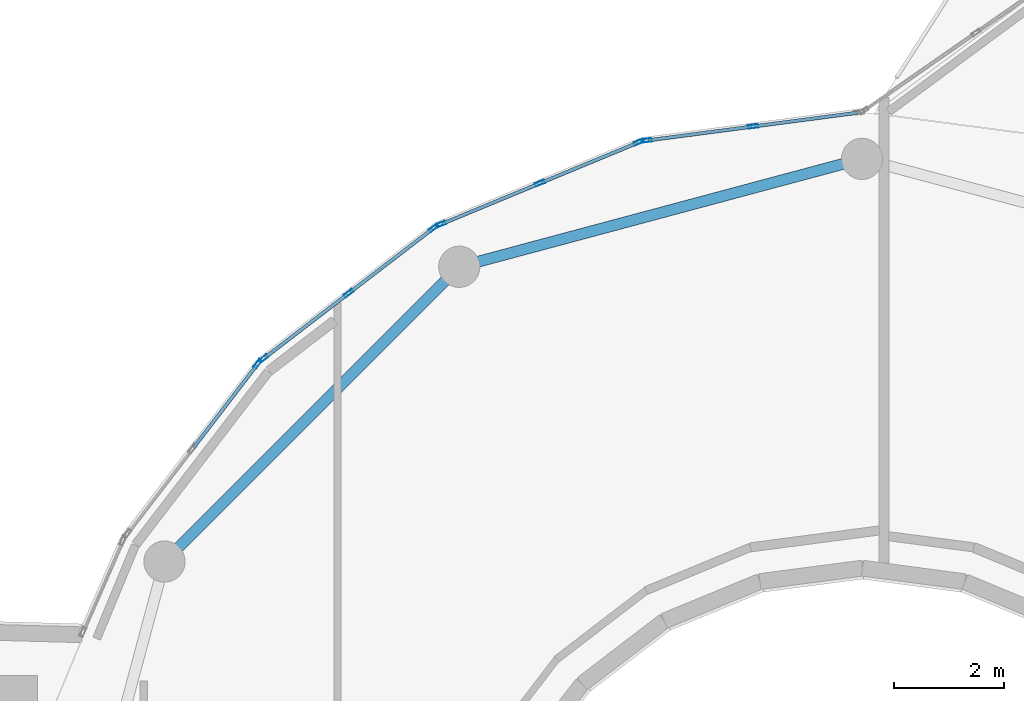
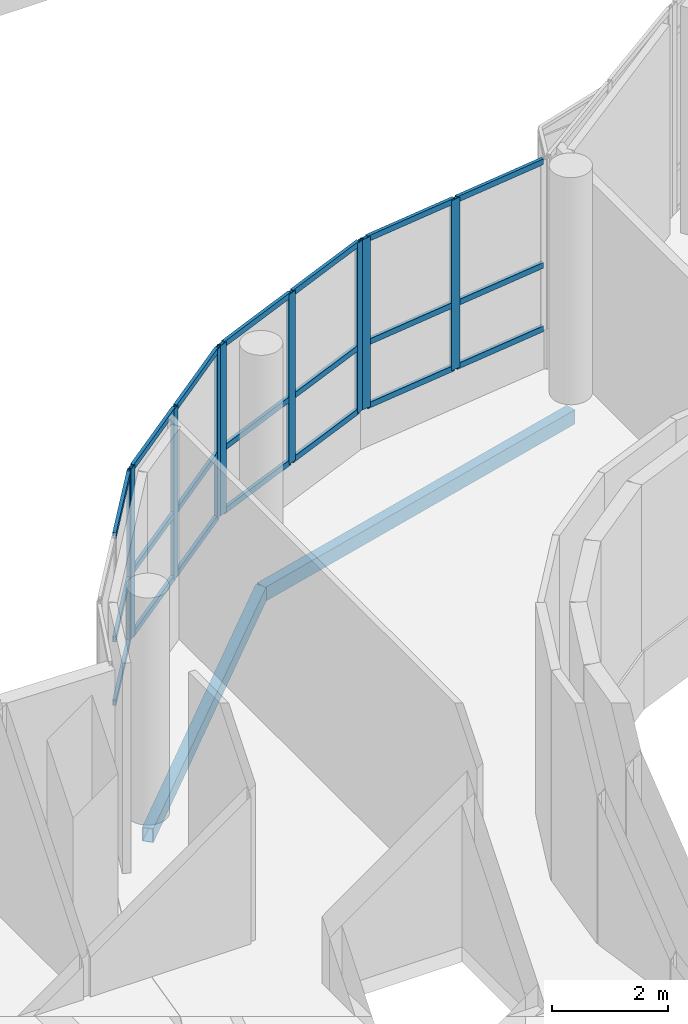
# One storey, part 60 of 168: 30 members, 2 beams, 4 elements without a shape of their own.
"""IFC4 building model written with IfcOpenShell, lengths in metres."""

from ifc_helpers import new_model, si_unit, direction, frame, origin, origin_2d, place, context, subcontext, project, spatial, hollow_rectangle, extrude, material, material_profile, profile_set, type_object, element, aggregate, save


model = new_model("IFC4")

# Units and contexts
model_context = context("Model", 3, precision=1e-05, world=origin(), true_north=direction((0.0, 1.0)))
body_context = subcontext(model_context, "Body", "Model", "MODEL_VIEW")
ifc_project = project(units=[si_unit("LENGTHUNIT", "METRE"), si_unit("AREAUNIT", "SQUARE_METRE"), si_unit("VOLUMEUNIT", "CUBIC_METRE"), si_unit("PLANEANGLEUNIT", "RADIAN"), si_unit("MASSUNIT", "GRAM", prefix="KILO")], contexts=[model_context])

# Site, building, storey
site_placement = place(None, origin())
site = spatial("IfcSite", under=ifc_project, at=site_placement, CompositionType="ELEMENT")
building_placement = place(site_placement, origin())
building = spatial("IfcBuilding", under=site, at=building_placement, Name="Selatvlak General Hospital", CompositionType="ELEMENT")
storey_placement = place(building_placement, frame((0.0, 0.0, 5.39990234375)))
storey = spatial("IfcBuildingStorey", under=building, at=storey_placement, Name="L01", CompositionType="ELEMENT", Elevation=5.39990234375)

# Beams
ifc_material_1 = material(Name="Steel S355", Category="steel")
ifc_material_profile_1 = material_profile(ifc_material_1, hollow_rectangle(XDim=0.199951171875, YDim=0.300048828125, WallThickness=0.011962890625, at=origin_2d()), Name="RHS 300x200x12")
ifc_profile_set_1 = profile_set([ifc_material_profile_1], Name="Steel S355")
beam_type = type_object("IfcBeamType", Name="BM-SP3", PredefinedType="SPANDREL", material=ifc_profile_set_1)
beam_1_placement = place(storey_placement, frame((98.0, 68.64990234375, -0.469970703125), z_axis=(-0.965920028052, -0.25884068345, 0.0), x_axis=(0.25884068345, -0.965920028052, 0.0)))
element("IfcBeam", 1, at=beam_1_placement, inside=storey, type_object=beam_type, Name="Beam BMR-L01-0714", PredefinedType="SPANDREL", context=body_context, shape_type="SweptSolid", body=[
    extrude(hollow_rectangle(XDim=0.199951171875, YDim=0.300048828125, WallThickness=0.011962890625, at=origin_2d()), origin(), (0.0, 0.0, 1.0), 7.58349609375),
])
beam_2_placement = place(storey_placement, frame((90.675048828125, 66.68701171875, -0.469970703125), z_axis=(-0.707106781187, -0.707106781187, 0.0), x_axis=(0.707106781187, -0.707106781187, 0.0)))
element("IfcBeam", 2, at=beam_2_placement, inside=storey, type_object=beam_type, Name="Beam BMR-L01-0715", PredefinedType="SPANDREL", context=body_context, shape_type="SweptSolid", body=[
    extrude(hollow_rectangle(XDim=0.199951171875, YDim=0.300048828125, WallThickness=0.011962890625, at=origin_2d()), origin(), (0.0, 0.0, 1.0), 7.5830078125),
])

# Curtain wall, member
ifc_material_2 = material(Name="Solar-control Low-E double glazing", Category="glass")
curtain_wall_type_1 = type_object("IfcCurtainWallType", Name="CW-CW-05", PredefinedType="USERDEFINED", material=ifc_material_2)
curtain_wall_1_placement = place(storey_placement, origin())
curtain_wall_1 = element("IfcCurtainWall", 3, at=curtain_wall_1_placement, inside=storey, type_object=curtain_wall_type_1, Name="Glazed facade curtain wall CW-L01-0216", ObjectType="STICK GLAZING WALL", PredefinedType="USERDEFINED")
ifc_material_3 = material(Name="Dark anodised aluminium mullion", Category="aluminium")
ifc_material_profile_2 = material_profile(ifc_material_3, hollow_rectangle(XDim=0.06494140625, YDim=0.179931640625, WallThickness=0.00439453125, at=origin_2d()), Name="AL-MUL 65x180x4.5")
ifc_profile_set_2 = profile_set([ifc_material_profile_2], Name="Dark anodised aluminium mullion")
member_type_1 = type_object("IfcMemberType", Name="CWM-02", PredefinedType="MULLION", material=ifc_profile_set_2)
member_1_placement = place(storey_placement, frame((87.01025390625, 64.921142578125, 0.85009765625), z_axis=(0.0, 0.0, 1.0), x_axis=(-0.793232853917, 0.608918417743, 0.0)))
member_1 = element("IfcMember", 4, at=member_1_placement, type_object=member_type_1, Name="CW-05 mullion 3", PredefinedType="MULLION", context=body_context, shape_type="SweptSolid", body=[
    extrude(hollow_rectangle(XDim=0.06494140625, YDim=0.179931640625, WallThickness=0.00439453125, at=origin_2d()), origin(), (0.0, 0.0, 1.0), 3.594970703125),
])

# Curtain wall, members
curtain_wall_type_2 = type_object("IfcCurtainWallType", Name="CW-CW-04", PredefinedType="USERDEFINED", material=ifc_material_2)
curtain_wall_2_placement = place(storey_placement, origin())
curtain_wall_2 = element("IfcCurtainWall", 5, at=curtain_wall_2_placement, inside=storey, type_object=curtain_wall_type_2, Name="Glazed facade curtain wall CW-L01-0217", ObjectType="STICK GLAZING WALL", PredefinedType="USERDEFINED")
member_2_placement = place(storey_placement, frame((87.11669921875, 65.017822265625, 0.85009765625), z_axis=(0.0, 0.0, 1.0), x_axis=(-0.608918417743, 0.793232853917, 0.0)))
member_2 = element("IfcMember", 6, at=member_2_placement, type_object=member_type_1, Name="CW-04 mullion 1", PredefinedType="MULLION", context=body_context, shape_type="SweptSolid", body=[
    extrude(hollow_rectangle(XDim=0.06494140625, YDim=0.179931640625, WallThickness=0.00439453125, at=origin_2d()), origin(), (0.0, 0.0, 1.0), 3.594970703125),
])
member_3_placement = place(storey_placement, frame((88.6640625, 66.20556640625, 0.85009765625), z_axis=(0.0, 0.0, 1.0), x_axis=(-0.608918417743, 0.793232853917, 0.0)))
member_3 = element("IfcMember", 7, at=member_3_placement, type_object=member_type_1, Name="CW-04 mullion 2", PredefinedType="MULLION", context=body_context, shape_type="SweptSolid", body=[
    extrude(hollow_rectangle(XDim=0.06494140625, YDim=0.179931640625, WallThickness=0.00439453125, at=origin_2d()), origin(), (0.0, 0.0, 1.0), 3.594970703125),
])
member_4_placement = place(storey_placement, frame((90.211181640625, 67.393310546875, 0.85009765625), z_axis=(0.0, 0.0, 1.0), x_axis=(-0.608918417743, 0.793232853917, 0.0)))
member_4 = element("IfcMember", 8, at=member_4_placement, type_object=member_type_1, Name="CW-04 mullion 3", PredefinedType="MULLION", context=body_context, shape_type="SweptSolid", body=[
    extrude(hollow_rectangle(XDim=0.06494140625, YDim=0.179931640625, WallThickness=0.00439453125, at=origin_2d()), origin(), (0.0, 0.0, 1.0), 3.594970703125),
])

curtain_wall_3_placement = place(storey_placement, origin())
curtain_wall_3 = element("IfcCurtainWall", 9, at=curtain_wall_3_placement, inside=storey, type_object=curtain_wall_type_1, Name="Glazed facade curtain wall CW-L01-0218", ObjectType="STICK GLAZING WALL", PredefinedType="USERDEFINED")
member_5_placement = place(storey_placement, frame((90.339111328125, 67.45947265625, 0.85009765625), z_axis=(0.0, 0.0, 1.0), x_axis=(-0.382752625243, 0.923850868847, 0.0)))
member_5 = element("IfcMember", 10, at=member_5_placement, type_object=member_type_1, Name="CW-05 mullion 1", PredefinedType="MULLION", context=body_context, shape_type="SweptSolid", body=[
    extrude(hollow_rectangle(XDim=0.06494140625, YDim=0.179931640625, WallThickness=0.00439453125, at=origin_2d()), origin(), (0.0, 0.0, 1.0), 3.594970703125),
])
member_6_placement = place(storey_placement, frame((92.14111328125, 68.2060546875, 0.85009765625), z_axis=(0.0, 0.0, 1.0), x_axis=(-0.382752625243, 0.923850868847, 0.0)))
member_6 = element("IfcMember", 11, at=member_6_placement, type_object=member_type_1, Name="CW-05 mullion 2", PredefinedType="MULLION", context=body_context, shape_type="SweptSolid", body=[
    extrude(hollow_rectangle(XDim=0.06494140625, YDim=0.179931640625, WallThickness=0.00439453125, at=origin_2d()), origin(), (0.0, 0.0, 1.0), 3.594970703125),
])
member_7_placement = place(storey_placement, frame((93.94287109375, 68.95263671875, 0.85009765625), z_axis=(0.0, 0.0, 1.0), x_axis=(-0.382752625243, 0.923850868847, 0.0)))
member_7 = element("IfcMember", 12, at=member_7_placement, type_object=member_type_1, Name="CW-05 mullion 3", PredefinedType="MULLION", context=body_context, shape_type="SweptSolid", body=[
    extrude(hollow_rectangle(XDim=0.06494140625, YDim=0.179931640625, WallThickness=0.00439453125, at=origin_2d()), origin(), (0.0, 0.0, 1.0), 3.594970703125),
])

curtain_wall_4_placement = place(storey_placement, origin())
curtain_wall_4 = element("IfcCurtainWall", 13, at=curtain_wall_4_placement, inside=storey, type_object=curtain_wall_type_2, Name="Glazed facade curtain wall CW-L01-0219", ObjectType="STICK GLAZING WALL", PredefinedType="USERDEFINED")
member_8_placement = place(storey_placement, frame((94.084228515625, 68.984130859375, 0.85009765625), z_axis=(0.0, 0.0, 1.0), x_axis=(-0.130611050186, 0.991433685916, 0.0)))
member_8 = element("IfcMember", 14, at=member_8_placement, type_object=member_type_1, Name="CW-04 mullion 1", PredefinedType="MULLION", context=body_context, shape_type="SweptSolid", body=[
    extrude(hollow_rectangle(XDim=0.06494140625, YDim=0.179931640625, WallThickness=0.00439453125, at=origin_2d()), origin(), (0.0, 0.0, 1.0), 3.594970703125),
])
member_9_placement = place(storey_placement, frame((96.01806640625, 69.239013671875, 0.85009765625), z_axis=(0.0, 0.0, 1.0), x_axis=(-0.130611050186, 0.991433685916, 0.0)))
member_9 = element("IfcMember", 15, at=member_9_placement, type_object=member_type_1, Name="CW-04 mullion 2", PredefinedType="MULLION", context=body_context, shape_type="SweptSolid", body=[
    extrude(hollow_rectangle(XDim=0.06494140625, YDim=0.179931640625, WallThickness=0.00439453125, at=origin_2d()), origin(), (0.0, 0.0, 1.0), 3.594970703125),
])

# Member
ifc_material_profile_3 = material_profile(ifc_material_3, hollow_rectangle(XDim=0.06494140625, YDim=0.1201171875, WallThickness=0.00390625, at=origin_2d()), Name="AL-TRN 65x120x4")
ifc_profile_set_3 = profile_set([ifc_material_profile_3], Name="Dark anodised aluminium mullion")
member_type_2 = type_object("IfcMemberType", Name="CWT-01", PredefinedType="USERDEFINED", material=ifc_profile_set_3)
member_10_placement = place(storey_placement, frame((85.84228515625, 63.399658203125, 0.882568359375), z_axis=(0.608890787968, 0.793254062913, 0.0), x_axis=(-0.793254062913, 0.608890787968, 0.0)))
member_10 = element("IfcMember", 16, at=member_10_placement, type_object=member_type_2, Name="CW-05 transom 2.1", ObjectType="TRANSOM", PredefinedType="USERDEFINED", context=body_context, shape_type="SweptSolid", body=[
    extrude(hollow_rectangle(XDim=0.06494140625, YDim=0.1201171875, WallThickness=0.00390625, at=origin_2d()), origin(), (0.0, 0.0, 1.0), 1.8857421875),
])

member_11_placement = place(storey_placement, frame((85.84228515625, 63.399658203125, 2.22314453125), z_axis=(0.608890787968, 0.793254062913, 0.0), x_axis=(-0.793254062913, 0.608890787968, 0.0)))
member_11 = element("IfcMember", 17, at=member_11_placement, type_object=member_type_2, Name="CW-05 transom 2.2", ObjectType="TRANSOM", PredefinedType="USERDEFINED", context=body_context, shape_type="SweptSolid", body=[
    extrude(hollow_rectangle(XDim=0.06494140625, YDim=0.1201171875, WallThickness=0.00390625, at=origin_2d()), origin(), (0.0, 0.0, 1.0), 1.8857421875),
])

member_12_placement = place(storey_placement, frame((85.84228515625, 63.399658203125, 4.41259765625), z_axis=(0.608890787968, 0.793254062913, 0.0), x_axis=(-0.793254062913, 0.608890787968, 0.0)))
member_12 = element("IfcMember", 18, at=member_12_placement, type_object=member_type_2, Name="CW-05 transom 2.3", ObjectType="TRANSOM", PredefinedType="USERDEFINED", context=body_context, shape_type="SweptSolid", body=[
    extrude(hollow_rectangle(XDim=0.06494140625, YDim=0.1201171875, WallThickness=0.00390625, at=origin_2d()), origin(), (0.0, 0.0, 1.0), 1.8857421875),
])

aggregate(curtain_wall_1, [member_1, member_10, member_11, member_12])

member_13_placement = place(storey_placement, frame((87.142578125, 65.03759765625, 0.882568359375), z_axis=(0.793206055297, 0.608953326487, 0.0), x_axis=(-0.608953326487, 0.793206055297, 0.0)))
member_13 = element("IfcMember", 19, at=member_13_placement, type_object=member_type_2, Name="CW-04 transom 1.1", ObjectType="TRANSOM", PredefinedType="USERDEFINED", context=body_context, shape_type="SweptSolid", body=[
    extrude(hollow_rectangle(XDim=0.06494140625, YDim=0.1201171875, WallThickness=0.00390625, at=origin_2d()), origin(), (0.0, 0.0, 1.0), 1.885498046875),
])

member_14_placement = place(storey_placement, frame((87.142578125, 65.03759765625, 2.22314453125), z_axis=(0.793206055297, 0.608953326487, 0.0), x_axis=(-0.608953326487, 0.793206055297, 0.0)))
member_14 = element("IfcMember", 20, at=member_14_placement, type_object=member_type_2, Name="CW-04 transom 1.2", ObjectType="TRANSOM", PredefinedType="USERDEFINED", context=body_context, shape_type="SweptSolid", body=[
    extrude(hollow_rectangle(XDim=0.06494140625, YDim=0.1201171875, WallThickness=0.00390625, at=origin_2d()), origin(), (0.0, 0.0, 1.0), 1.885498046875),
])

member_15_placement = place(storey_placement, frame((87.142578125, 65.03759765625, 4.41259765625), z_axis=(0.793206055297, 0.608953326487, 0.0), x_axis=(-0.608953326487, 0.793206055297, 0.0)))
member_15 = element("IfcMember", 21, at=member_15_placement, type_object=member_type_2, Name="CW-04 transom 1.3", ObjectType="TRANSOM", PredefinedType="USERDEFINED", context=body_context, shape_type="SweptSolid", body=[
    extrude(hollow_rectangle(XDim=0.06494140625, YDim=0.1201171875, WallThickness=0.00390625, at=origin_2d()), origin(), (0.0, 0.0, 1.0), 1.885498046875),
])

member_16_placement = place(storey_placement, frame((88.689697265625, 66.225341796875, 0.882568359375), z_axis=(0.793254062913, 0.608890787968, 0.0), x_axis=(-0.608890787968, 0.793254062913, 0.0)))
member_16 = element("IfcMember", 22, at=member_16_placement, type_object=member_type_2, Name="CW-04 transom 2.1", ObjectType="TRANSOM", PredefinedType="USERDEFINED", context=body_context, shape_type="SweptSolid", body=[
    extrude(hollow_rectangle(XDim=0.06494140625, YDim=0.1201171875, WallThickness=0.00390625, at=origin_2d()), origin(), (0.0, 0.0, 1.0), 1.8857421875),
])

member_17_placement = place(storey_placement, frame((88.689697265625, 66.225341796875, 2.22314453125), z_axis=(0.793254062913, 0.608890787968, 0.0), x_axis=(-0.608890787968, 0.793254062913, 0.0)))
member_17 = element("IfcMember", 23, at=member_17_placement, type_object=member_type_2, Name="CW-04 transom 2.2", ObjectType="TRANSOM", PredefinedType="USERDEFINED", context=body_context, shape_type="SweptSolid", body=[
    extrude(hollow_rectangle(XDim=0.06494140625, YDim=0.1201171875, WallThickness=0.00390625, at=origin_2d()), origin(), (0.0, 0.0, 1.0), 1.8857421875),
])

member_18_placement = place(storey_placement, frame((88.689697265625, 66.225341796875, 4.41259765625), z_axis=(0.793254062913, 0.608890787968, 0.0), x_axis=(-0.608890787968, 0.793254062913, 0.0)))
member_18 = element("IfcMember", 24, at=member_18_placement, type_object=member_type_2, Name="CW-04 transom 2.3", ObjectType="TRANSOM", PredefinedType="USERDEFINED", context=body_context, shape_type="SweptSolid", body=[
    extrude(hollow_rectangle(XDim=0.06494140625, YDim=0.1201171875, WallThickness=0.00390625, at=origin_2d()), origin(), (0.0, 0.0, 1.0), 1.8857421875),
])

aggregate(curtain_wall_2, [member_2, member_3, member_4, member_13, member_14, member_15, member_16, member_17, member_18])

member_19_placement = place(storey_placement, frame((90.369140625, 67.471923828125, 0.882568359375), z_axis=(0.92385269326, 0.382748221623, 0.0), x_axis=(-0.382748221623, 0.92385269326, 0.0)))
member_19 = element("IfcMember", 25, at=member_19_placement, type_object=member_type_2, Name="CW-05 transom 1.1", ObjectType="TRANSOM", PredefinedType="USERDEFINED", context=body_context, shape_type="SweptSolid", body=[
    extrude(hollow_rectangle(XDim=0.06494140625, YDim=0.1201171875, WallThickness=0.00390625, at=origin_2d()), origin(), (0.0, 0.0, 1.0), 1.885498046875),
])

member_20_placement = place(storey_placement, frame((90.369140625, 67.471923828125, 2.22314453125), z_axis=(0.92385269326, 0.382748221623, 0.0), x_axis=(-0.382748221623, 0.92385269326, 0.0)))
member_20 = element("IfcMember", 26, at=member_20_placement, type_object=member_type_2, Name="CW-05 transom 1.2", ObjectType="TRANSOM", PredefinedType="USERDEFINED", context=body_context, shape_type="SweptSolid", body=[
    extrude(hollow_rectangle(XDim=0.06494140625, YDim=0.1201171875, WallThickness=0.00390625, at=origin_2d()), origin(), (0.0, 0.0, 1.0), 1.885498046875),
])

member_21_placement = place(storey_placement, frame((90.369140625, 67.471923828125, 4.41259765625), z_axis=(0.92385269326, 0.382748221623, 0.0), x_axis=(-0.382748221623, 0.92385269326, 0.0)))
member_21 = element("IfcMember", 27, at=member_21_placement, type_object=member_type_2, Name="CW-05 transom 1.3", ObjectType="TRANSOM", PredefinedType="USERDEFINED", context=body_context, shape_type="SweptSolid", body=[
    extrude(hollow_rectangle(XDim=0.06494140625, YDim=0.1201171875, WallThickness=0.00390625, at=origin_2d()), origin(), (0.0, 0.0, 1.0), 1.885498046875),
])

member_22_placement = place(storey_placement, frame((92.171142578125, 68.218505859375, 0.882568359375), z_axis=(0.923833721264, 0.382794011782, 0.0), x_axis=(-0.382794011782, 0.923833721264, 0.0)))
member_22 = element("IfcMember", 28, at=member_22_placement, type_object=member_type_2, Name="CW-05 transom 2.1", ObjectType="TRANSOM", PredefinedType="USERDEFINED", context=body_context, shape_type="SweptSolid", body=[
    extrude(hollow_rectangle(XDim=0.06494140625, YDim=0.1201171875, WallThickness=0.00390625, at=origin_2d()), origin(), (0.0, 0.0, 1.0), 1.88525390625),
])

member_23_placement = place(storey_placement, frame((92.171142578125, 68.218505859375, 2.22314453125), z_axis=(0.923833721264, 0.382794011782, 0.0), x_axis=(-0.382794011782, 0.923833721264, 0.0)))
member_23 = element("IfcMember", 29, at=member_23_placement, type_object=member_type_2, Name="CW-05 transom 2.2", ObjectType="TRANSOM", PredefinedType="USERDEFINED", context=body_context, shape_type="SweptSolid", body=[
    extrude(hollow_rectangle(XDim=0.06494140625, YDim=0.1201171875, WallThickness=0.00390625, at=origin_2d()), origin(), (0.0, 0.0, 1.0), 1.88525390625),
])

member_24_placement = place(storey_placement, frame((92.171142578125, 68.218505859375, 4.41259765625), z_axis=(0.923833721264, 0.382794011782, 0.0), x_axis=(-0.382794011782, 0.923833721264, 0.0)))
member_24 = element("IfcMember", 30, at=member_24_placement, type_object=member_type_2, Name="CW-05 transom 2.3", ObjectType="TRANSOM", PredefinedType="USERDEFINED", context=body_context, shape_type="SweptSolid", body=[
    extrude(hollow_rectangle(XDim=0.06494140625, YDim=0.1201171875, WallThickness=0.00390625, at=origin_2d()), origin(), (0.0, 0.0, 1.0), 1.88525390625),
])

aggregate(curtain_wall_3, [member_5, member_6, member_7, member_19, member_20, member_21, member_22, member_23, member_24])

member_25_placement = place(storey_placement, frame((94.116455078125, 68.988525390625, 0.882568359375), z_axis=(0.991429156787, 0.130645424996, 0.0), x_axis=(-0.130645424996, 0.991429156787, 0.0)))
member_25 = element("IfcMember", 31, at=member_25_placement, type_object=member_type_2, Name="CW-04 transom 1.1", ObjectType="TRANSOM", PredefinedType="USERDEFINED", context=body_context, shape_type="SweptSolid", body=[
    extrude(hollow_rectangle(XDim=0.06494140625, YDim=0.1201171875, WallThickness=0.00390625, at=origin_2d()), origin(), (0.0, 0.0, 1.0), 1.885498046875),
])

member_26_placement = place(storey_placement, frame((94.116455078125, 68.988525390625, 2.22314453125), z_axis=(0.991429156787, 0.130645424996, 0.0), x_axis=(-0.130645424996, 0.991429156787, 0.0)))
member_26 = element("IfcMember", 32, at=member_26_placement, type_object=member_type_2, Name="CW-04 transom 1.2", ObjectType="TRANSOM", PredefinedType="USERDEFINED", context=body_context, shape_type="SweptSolid", body=[
    extrude(hollow_rectangle(XDim=0.06494140625, YDim=0.1201171875, WallThickness=0.00390625, at=origin_2d()), origin(), (0.0, 0.0, 1.0), 1.885498046875),
])

member_27_placement = place(storey_placement, frame((94.116455078125, 68.988525390625, 4.41259765625), z_axis=(0.991429156787, 0.130645424996, 0.0), x_axis=(-0.130645424996, 0.991429156787, 0.0)))
member_27 = element("IfcMember", 33, at=member_27_placement, type_object=member_type_2, Name="CW-04 transom 1.3", ObjectType="TRANSOM", PredefinedType="USERDEFINED", context=body_context, shape_type="SweptSolid", body=[
    extrude(hollow_rectangle(XDim=0.06494140625, YDim=0.1201171875, WallThickness=0.00390625, at=origin_2d()), origin(), (0.0, 0.0, 1.0), 1.885498046875),
])

member_28_placement = place(storey_placement, frame((96.05029296875, 69.2431640625, 0.882568359375), z_axis=(0.991429156787, 0.130645424996, 0.0), x_axis=(-0.130645424996, 0.991429156787, 0.0)))
member_28 = element("IfcMember", 34, at=member_28_placement, type_object=member_type_2, Name="CW-04 transom 2.1", ObjectType="TRANSOM", PredefinedType="USERDEFINED", context=body_context, shape_type="SweptSolid", body=[
    extrude(hollow_rectangle(XDim=0.06494140625, YDim=0.1201171875, WallThickness=0.00390625, at=origin_2d()), origin(), (0.0, 0.0, 1.0), 1.885498046875),
])

member_29_placement = place(storey_placement, frame((96.05029296875, 69.2431640625, 2.22314453125), z_axis=(0.991429156787, 0.130645424996, 0.0), x_axis=(-0.130645424996, 0.991429156787, 0.0)))
member_29 = element("IfcMember", 35, at=member_29_placement, type_object=member_type_2, Name="CW-04 transom 2.2", ObjectType="TRANSOM", PredefinedType="USERDEFINED", context=body_context, shape_type="SweptSolid", body=[
    extrude(hollow_rectangle(XDim=0.06494140625, YDim=0.1201171875, WallThickness=0.00390625, at=origin_2d()), origin(), (0.0, 0.0, 1.0), 1.885498046875),
])

member_30_placement = place(storey_placement, frame((96.05029296875, 69.2431640625, 4.41259765625), z_axis=(0.991429156787, 0.130645424996, 0.0), x_axis=(-0.130645424996, 0.991429156787, 0.0)))
member_30 = element("IfcMember", 36, at=member_30_placement, type_object=member_type_2, Name="CW-04 transom 2.3", ObjectType="TRANSOM", PredefinedType="USERDEFINED", context=body_context, shape_type="SweptSolid", body=[
    extrude(hollow_rectangle(XDim=0.06494140625, YDim=0.1201171875, WallThickness=0.00390625, at=origin_2d()), origin(), (0.0, 0.0, 1.0), 1.885498046875),
])

aggregate(curtain_wall_4, [member_8, member_9, member_25, member_26, member_27, member_28, member_29, member_30])

save(model, "model.ifc")
